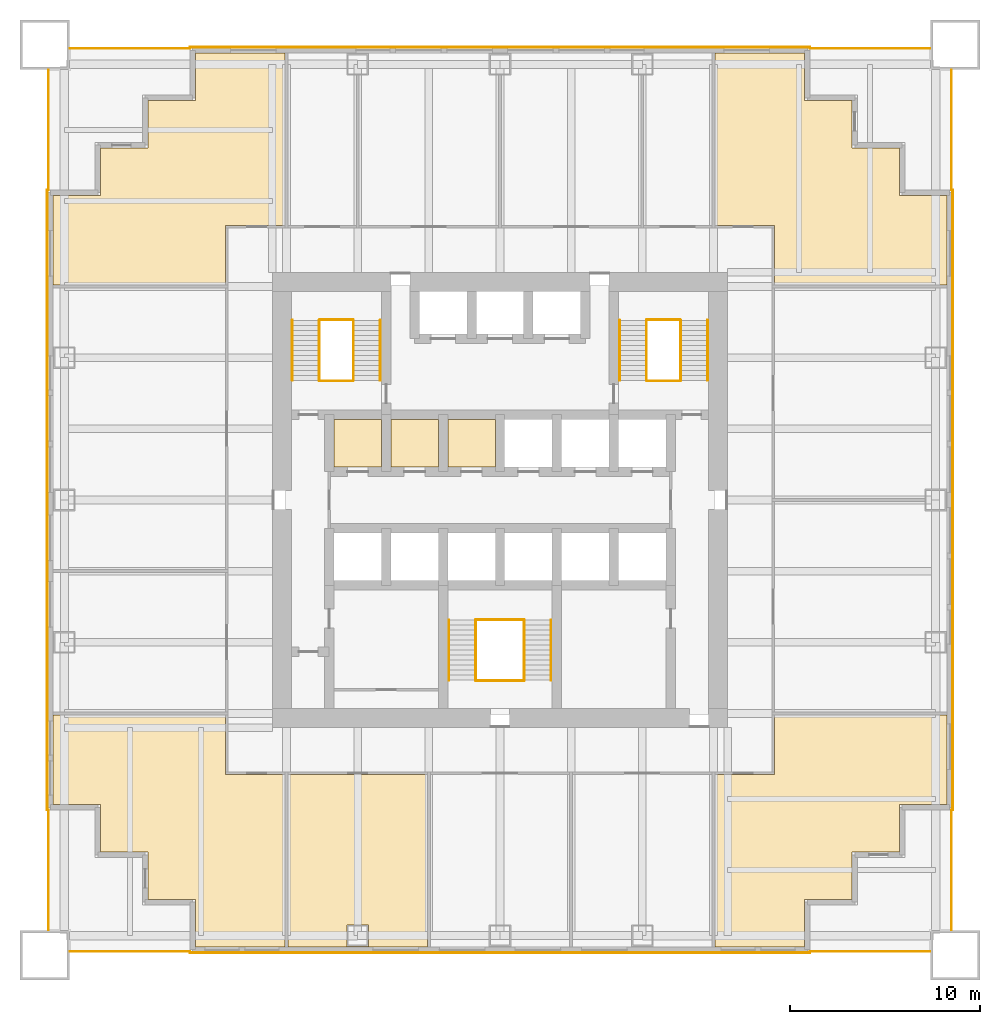
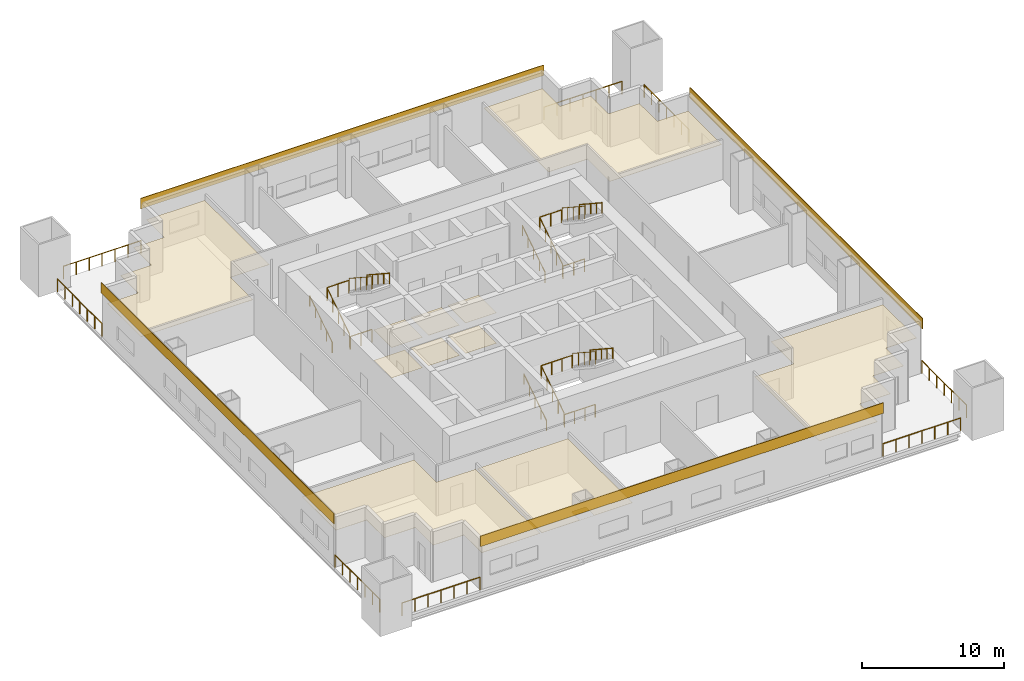
# One storey, part 6 of 6: 26 railings, 15 coverings.
"""IFC4 building model written with IfcOpenShell, lengths in metres."""

import ifcopenshell
import ifcopenshell.guid

model = None  # the IFC model being written
_history = None  # IfcOwnerHistory: only IFC2X3 demands one
_inside = {}  # id of a spatial element -> (the spatial element, [elements in it])
_under = {}  # id of a project, library or spatial element -> (it, [spatial elements below it])
_declared = {}  # id of a project -> (the project, [libraries it declares])
_typed = {}  # id of a type object -> (the type object, [elements of that type])
_made_of = {}  # id of a material, layer set ... -> (it, [elements and type objects made of it])


def new_model(schema):
    """Start an empty IFC model of exactly this schema.

    Asked for "IFC4X3", IfcOpenShell would pick the latest addendum, in which some entities
    have other attributes; the version numbers below select the first issue.
    IFC2X3 requires an IfcOwnerHistory on every rooted entity: one is made here for all.
    """
    global model, _history
    if schema == "IFC4X3":
        model = ifcopenshell.file(schema_version=(4, 3, 0, 0))
    else:
        model = ifcopenshell.file(schema=schema)
    _inside.clear()
    _under.clear()
    _declared.clear()
    _typed.clear()
    _made_of.clear()
    _history = None
    if model.schema == "IFC2X3":
        org = make("IfcOrganization", Name="unknown")
        user = make(
            "IfcPersonAndOrganization",
            ThePerson=make("IfcPerson", FamilyName="unknown"),
            TheOrganization=org,
        )
        app = make(
            "IfcApplication",
            ApplicationDeveloper=org,
            Version="unknown",
            ApplicationFullName="unknown",
            ApplicationIdentifier="unknown",
        )
        _history = make(
            "IfcOwnerHistory",
            OwningUser=user,
            OwningApplication=app,
            ChangeAction="ADDED",
            CreationDate=0,
        )
    return model


def make(cls, **values):
    """One entity of the class cls with the attributes given. An attribute that is None is left unset."""
    return model.create_entity(
        cls, **{name: value for name, value in values.items() if value is not None}
    )


def rooted(cls, **values):
    """An entity with a GlobalId (a new one), such as an element, a storey or a relation."""
    return make(cls, GlobalId=ifcopenshell.guid.new(), OwnerHistory=_history, **values)


def si_unit(unit_type, name, prefix=None):
    """IfcSIUnit, for example si_unit("LENGTHUNIT", "METRE", prefix="MILLI")."""
    return make("IfcSIUnit", UnitType=unit_type, Prefix=prefix, Name=name)


def assignment(units):
    """IfcUnitAssignment: the units of a project."""
    return None if units is None else make("IfcUnitAssignment", Units=units)


def point(xyz):
    """IfcCartesianPoint."""
    return None if xyz is None else make("IfcCartesianPoint", Coordinates=xyz)


def direction(xyz):
    """IfcDirection."""
    return None if xyz is None else make("IfcDirection", DirectionRatios=xyz)


def frame(location, z_axis=None, x_axis=None):
    """IfcAxis2Placement3D, a coordinate frame: its origin and axes. An axis left out is left unset."""
    return make(
        "IfcAxis2Placement3D",
        Location=point(location),
        Axis=direction(z_axis),
        RefDirection=direction(x_axis),
    )


def frame_2d(location, x_axis=None):
    """IfcAxis2Placement2D, a coordinate frame in the plane: its origin and x axis."""
    return make(
        "IfcAxis2Placement2D", Location=point(location), RefDirection=direction(x_axis)
    )


def origin():
    """The frame at (0, 0, 0) with its axes left unset."""
    return frame((0.0, 0.0, 0.0))


def origin_2d():
    """The frame at (0, 0) in the plane with its x axis left unset."""
    return frame_2d((0.0, 0.0))


def place(relative_to, where):
    """IfcLocalPlacement: puts the frame where relative to a parent placement (None: the world)."""
    return make(
        "IfcLocalPlacement", PlacementRelTo=relative_to, RelativePlacement=where
    )


def context(
    kind, dimensions, precision=None, world=None, true_north=None, identifier=None
):
    """IfcGeometricRepresentationContext, for example the 3D "Model" context."""
    return make(
        "IfcGeometricRepresentationContext",
        ContextIdentifier=identifier,
        ContextType=kind,
        CoordinateSpaceDimension=dimensions,
        Precision=precision,
        WorldCoordinateSystem=world,
        TrueNorth=true_north,
    )


def subcontext(parent, identifier, kind, view, scale=None):
    """IfcGeometricRepresentationSubContext, for example "Body" below "Model"."""
    return make(
        "IfcGeometricRepresentationSubContext",
        ContextIdentifier=identifier,
        ContextType=kind,
        ParentContext=parent,
        TargetScale=scale,
        TargetView=view,
    )


def project(units=None, contexts=None):
    """IfcProject with its units and contexts."""
    return rooted(
        "IfcProject",
        Name="project",
        RepresentationContexts=contexts,
        UnitsInContext=assignment(units),
    )


def spatial(cls, under=None, at=None, **own):
    """A site, building, storey or space (cls), placed at a placement, below another one or the project."""
    s = rooted(cls, ObjectPlacement=at, **own)
    if under is not None:
        _under.setdefault(under.id(), (under, []))[1].append(s)
    return s


def polyline(points):
    """IfcPolyline through the points."""
    return make("IfcPolyline", Points=[point(p) for p in points])


def profile(cls, at=None, kind="AREA", **sizes):
    """A parametric profile (cls). Its sizes go by their IFC names, for example OverallWidth=200.0."""
    return make(cls, ProfileType=kind, Position=at, **sizes)


def rectangle(**sizes):
    """IfcRectangleProfileDef."""
    return profile("IfcRectangleProfileDef", **sizes)


def circle(**sizes):
    """IfcCircleProfileDef."""
    return profile("IfcCircleProfileDef", **sizes)


def outline(outer, holes=None, kind="AREA"):
    """IfcArbitraryClosedProfileDef: a profile drawn as a closed curve; with holes, ...WithVoids."""
    if holes is None:
        return make("IfcArbitraryClosedProfileDef", ProfileType=kind, OuterCurve=outer)
    return make(
        "IfcArbitraryProfileDefWithVoids",
        ProfileType=kind,
        OuterCurve=outer,
        InnerCurves=holes,
    )


def extrude(swept, where, along, depth):
    """IfcExtrudedAreaSolid: the profile swept, set in the frame where, extruded along a direction by depth."""
    return make(
        "IfcExtrudedAreaSolid",
        SweptArea=swept,
        Position=where,
        ExtrudedDirection=direction(along),
        Depth=depth,
    )


def shape(context_of_items, identifier, shape_type, items):
    """IfcShapeRepresentation: the items that make up one representation, for example the "Body"."""
    return make(
        "IfcShapeRepresentation",
        ContextOfItems=context_of_items,
        RepresentationIdentifier=identifier,
        RepresentationType=shape_type,
        Items=items,
    )


def material(Name=None, Category=None):
    """IfcMaterial."""
    return make("IfcMaterial", Name=Name, Category=Category)


def layer(
    of_material, thickness, ventilated=None, Name=None, Category=None, Priority=None
):
    """IfcMaterialLayer: one layer of a wall or slab, of a material (None: an air gap)."""
    return make(
        "IfcMaterialLayer",
        Material=of_material,
        LayerThickness=thickness,
        IsVentilated=ventilated,
        Name=Name,
        Category=Category,
        Priority=Priority,
    )


def layer_set(layers, Name=None):
    """IfcMaterialLayerSet."""
    return make("IfcMaterialLayerSet", MaterialLayers=layers, LayerSetName=Name)


def made_of(thing, what):
    """Note that an element or type object is made of a material, layer set ...; save() writes the relation."""
    if what is not None:
        _made_of.setdefault(what.id(), (what, []))[1].append(thing)
    return thing


def type_object(cls, material=None, **own):
    """A type object (cls), such as IfcWallType, which elements share."""
    return made_of(rooted(cls, **own), material)


def element(
    cls,
    number,
    at=None,
    inside=None,
    cuts=None,
    type_object=None,
    material=None,
    context=None,
    identifier="Body",
    shape_type=None,
    held_by="IfcProductDefinitionShape",
    body=None,
    shapes=None,
    **own,
):
    """One element of the class cls, such as IfcWall. Its Tag is "e" and its number.

    at: its placement. inside: the storey or other place that contains it. cuts: it is an
    opening in that element (IfcRelVoidsElement). A single representation is given by context,
    identifier, shape_type and body (its items); several are given by shapes. held_by: the class
    of the entity that holds the representations. save() writes the other relations.
    """
    e = rooted(cls, Tag="e%d" % number, ObjectPlacement=at, **own)
    if body is not None:
        shapes = [shape(context, identifier, shape_type, body)]
    if shapes is not None:
        e.Representation = make(held_by, Representations=shapes)
    if inside is not None:
        _inside.setdefault(inside.id(), (inside, []))[1].append(e)
    if cuts is not None:
        rooted(
            "IfcRelVoidsElement", RelatingBuildingElement=cuts, RelatedOpeningElement=e
        )
    if type_object is not None:
        _typed.setdefault(type_object.id(), (type_object, []))[1].append(e)
    return made_of(e, material)


def aggregate(whole, parts):
    """IfcRelAggregates: a whole, such as a stair, and the parts it consists of."""
    return rooted("IfcRelAggregates", RelatingObject=whole, RelatedObjects=parts)


def save(model, path):
    """Write the relations noted so far, then the file.

    IfcRelAggregates (storeys below a building ...), IfcRelContainedInSpatialStructure (elements
    in a storey), IfcRelDefinesByType, IfcRelAssociatesMaterial and IfcRelDeclares: one each for
    every whole, place, type object, material and project.
    """
    for whole, parts in _under.values():
        aggregate(whole, parts)
    for where, things in _inside.values():
        rooted(
            "IfcRelContainedInSpatialStructure",
            RelatedElements=things,
            RelatingStructure=where,
        )
    for kind, things in _typed.values():
        rooted("IfcRelDefinesByType", RelatedObjects=things, RelatingType=kind)
    for what, things in _made_of.values():
        rooted("IfcRelAssociatesMaterial", RelatedObjects=things, RelatingMaterial=what)
    for by, libraries in _declared.values():
        rooted("IfcRelDeclares", RelatingContext=by, RelatedDefinitions=libraries)
    model.write(path)


model = new_model("IFC4")

# Units and contexts
model_context = context("Model", 3, precision=1e-05, world=origin(), true_north=direction((0.0, 1.0)))
body_context = subcontext(model_context, "Body", "Model", "MODEL_VIEW")
ifc_project = project(units=[si_unit("LENGTHUNIT", "METRE"), si_unit("AREAUNIT", "SQUARE_METRE"), si_unit("VOLUMEUNIT", "CUBIC_METRE"), si_unit("PLANEANGLEUNIT", "RADIAN"), si_unit("MASSUNIT", "GRAM", prefix="KILO")], contexts=[model_context])

# Site, building, storey
site_placement = place(None, origin())
site = spatial("IfcSite", under=ifc_project, at=site_placement, CompositionType="ELEMENT")
building_placement = place(site_placement, origin())
building = spatial("IfcBuilding", under=site, at=building_placement, Name="Tarangal Relay Tower", CompositionType="ELEMENT")
storey_placement = place(building_placement, frame((0.0, 0.0, 113.39990234375)))
storey = spatial("IfcBuildingStorey", under=building, at=storey_placement, Name="L22", CompositionType="ELEMENT", Elevation=113.39990234375)

# Coverings
ifc_material_1 = material(Name="Anti-static vinyl flooring", Category="plastic")
ifc_layer_1 = layer(ifc_material_1, 0.010009765625)
ifc_layer_set_1 = layer_set([ifc_layer_1], Name="Anti-static vinyl floor")
covering_type_1 = type_object("IfcCoveringType", Name="Anti-static vinyl floor", PredefinedType="FLOORING", material=ifc_layer_set_1)
covering_1_placement = place(storey_placement, origin())
element("IfcCovering", 1, at=covering_1_placement, inside=storey, type_object=covering_type_1, Name="Floor finish FL1 L22-D1", PredefinedType="FLOORING", context=body_context, shape_type="SweptSolid", body=[
    extrude(outline(polyline([(-8.75, 1.75), (-6.25, 1.75), (-6.25, 4.25), (-8.75, 4.25), (-8.75, 1.75)])), origin(), (0.0, 0.0, 1.0), 0.010009765625),
])
covering_2_placement = place(storey_placement, origin())
element("IfcCovering", 2, at=covering_2_placement, inside=storey, type_object=covering_type_1, Name="Floor finish FL1 L22-D2", PredefinedType="FLOORING", context=body_context, shape_type="SweptSolid", body=[
    extrude(outline(polyline([(-5.75, 1.75), (-3.25, 1.75), (-3.25, 4.25), (-5.75, 4.25), (-5.75, 1.75)])), origin(), (0.0, 0.0, 1.0), 0.010009765625),
])
covering_3_placement = place(storey_placement, origin())
element("IfcCovering", 3, at=covering_3_placement, inside=storey, type_object=covering_type_1, Name="Floor finish FL1 L22-D3", PredefinedType="FLOORING", context=body_context, shape_type="SweptSolid", body=[
    extrude(outline(polyline([(-2.75, 1.75), (-0.25, 1.75), (-0.25, 4.25), (-2.75, 4.25), (-2.75, 1.75)])), origin(), (0.0, 0.0, 1.0), 0.010009765625),
])
ifc_material_2 = material(Name="Black anodised aluminium cladding", Category="aluminium")
ifc_layer_2 = layer(ifc_material_2, 0.050048828125)
ifc_layer_set_2 = layer_set([ifc_layer_2], Name="Black metal spandrel band")
covering_type_2 = type_object("IfcCoveringType", Name="Black metal spandrel band", PredefinedType="CLADDING", material=ifc_layer_set_2)
for number, where, z_axis, x_axis, name in (
    (4, (0.0, 23.875, 3.750244140625), (0.0, 0.0, 1.0), (1.0, 0.0, 0.0), "Spandrel band SB1 N L22"),
    (5, (23.875, 0.0, 3.750244140625), (0.0, 0.0, 1.0), (0.0, -1.0, 0.0), "Spandrel band SB1 E L22"),
    (6, (0.0, -23.875, 3.750244140625), (0.0, 0.0, 1.0), (-1.0, 0.0, 0.0), "Spandrel band SB1 S L22"),
    (7, (-23.875, 0.0, 3.750244140625), (0.0, 0.0, 1.0), (0.0, 1.0, 0.0), "Spandrel band SB1 W L22"),
):
    element("IfcCovering", number, at=place(storey_placement, frame(where, z_axis=z_axis, x_axis=x_axis)), inside=storey, type_object=covering_type_2, Name=name, PredefinedType="CLADDING", context=body_context, shape_type="SweptSolid", body=[
        extrude(rectangle(XDim=32.699951171875, YDim=0.050048828125, at=origin_2d()), origin(), (0.0, 0.0, 1.0), 0.89990234375),
    ])

# Railings
ifc_material_3 = material(Name="Steel guard, black finish", Category="steel")
railing_type_1 = type_object("IfcRailingType", Name="Stair guard 1100", PredefinedType="GUARDRAIL", material=ifc_material_3)
railing_1_placement = place(storey_placement, frame((-9.530029296875, 6.300048828125, 0.173095703125)))
element("IfcRailing", 8, at=railing_1_placement, inside=storey, type_object=railing_type_1, Name="Stair ST-A guard GR1 L22 flight 1", PredefinedType="GUARDRAIL", context=body_context, shape_type="SweptSolid", body=[
    extrude(circle(Radius=0.02392578125, at=origin_2d()), frame((0.0, 0.0, 1.076171875), z_axis=(0.0, 0.83629911093, 0.548273469226), x_axis=(-1.0, 0.0, 0.0)), (0.0, 0.0, 1.0), 3.7880859375),
    extrude(circle(Radius=0.02099609375, at=origin_2d()), origin(), (0.0, 0.0, 1.0), 1.052001953125),
    extrude(circle(Radius=0.02099609375, at=origin_2d()), frame((0.0, 0.7919921875, 0.519287109375)), (0.0, 0.0, 1.0), 1.052001953125),
    extrude(circle(Radius=0.02099609375, at=origin_2d()), frame((0.0, 1.583984375, 1.03857421875)), (0.0, 0.0, 1.0), 1.052001953125),
    extrude(circle(Radius=0.02099609375, at=origin_2d()), frame((0.0, 2.3759765625, 1.5576171875)), (0.0, 0.0, 1.0), 1.052001953125),
    extrude(circle(Radius=0.02099609375, at=origin_2d()), frame((0.0, 3.16796875, 2.076904296875)), (0.0, 0.0, 1.0), 1.052001953125),
])
railing_2_placement = place(storey_placement, frame((-7.719970703125, 9.468017578125, 2.423095703125)))
element("IfcRailing", 9, at=railing_2_placement, inside=storey, type_object=railing_type_1, Name="Stair ST-A guard GR1 L22 flight 2", PredefinedType="GUARDRAIL", context=body_context, shape_type="SweptSolid", body=[
    extrude(circle(Radius=0.02392578125, at=origin_2d()), frame((0.0, 0.0, 1.076171875), z_axis=(0.0, -0.83629911093, 0.548273469226), x_axis=(1.0, 0.0, 0.0)), (0.0, 0.0, 1.0), 3.7880859375),
    extrude(circle(Radius=0.02099609375, at=origin_2d()), origin(), (0.0, 0.0, 1.0), 1.052001953125),
    extrude(circle(Radius=0.02099609375, at=origin_2d()), frame((0.0, -0.7919921875, 0.519287109375)), (0.0, 0.0, 1.0), 1.052001953125),
    extrude(circle(Radius=0.02099609375, at=origin_2d()), frame((0.0, -1.583984375, 1.03857421875)), (0.0, 0.0, 1.0), 1.052001953125),
    extrude(circle(Radius=0.02099609375, at=origin_2d()), frame((0.0, -2.3759765625, 1.5576171875)), (0.0, 0.0, 1.0), 1.052001953125),
    extrude(circle(Radius=0.02099609375, at=origin_2d()), frame((0.0, -3.16796875, 2.076904296875)), (0.0, 0.0, 1.0), 1.052001953125),
])
for number, where, name in (
    (10, (-9.5, 6.27001953125, 0.0), "Stair ST-A landing guard GR1 L22"),
    (11, (-9.5, 9.498046875, 2.25), "Stair ST-A landing guard GR1 L22"),
):
    element("IfcRailing", number, at=place(storey_placement, frame(where)), inside=storey, type_object=railing_type_1, Name=name, PredefinedType="GUARDRAIL", context=body_context, shape_type="SweptSolid", body=[
        extrude(circle(Radius=0.02392578125, at=origin_2d()), frame((0.0, 0.0, 1.076171875), z_axis=(1.0, 0.0, 0.0), x_axis=(0.0, 1.0, 0.0)), (0.0, 0.0, 1.0), 1.75),
        extrude(circle(Radius=0.02099609375, at=origin_2d()), origin(), (0.0, 0.0, 1.0), 1.052001953125),
        extrude(circle(Radius=0.02099609375, at=origin_2d()), frame((0.875, 0.0, 0.0)), (0.0, 0.0, 1.0), 1.052001953125),
        extrude(circle(Radius=0.02099609375, at=origin_2d()), frame((1.75, 0.0, 0.0)), (0.0, 0.0, 1.0), 1.052001953125),
    ])
railing_3_placement = place(storey_placement, frame((7.719970703125, 6.300048828125, 0.173095703125)))
element("IfcRailing", 12, at=railing_3_placement, inside=storey, type_object=railing_type_1, Name="Stair ST-B guard GR1 L22 flight 1", PredefinedType="GUARDRAIL", context=body_context, shape_type="SweptSolid", body=[
    extrude(circle(Radius=0.02392578125, at=origin_2d()), frame((0.0, 0.0, 1.076171875), z_axis=(0.0, 0.83629911093, 0.548273469226), x_axis=(-1.0, 0.0, 0.0)), (0.0, 0.0, 1.0), 3.7880859375),
    extrude(circle(Radius=0.02099609375, at=origin_2d()), origin(), (0.0, 0.0, 1.0), 1.052001953125),
    extrude(circle(Radius=0.02099609375, at=origin_2d()), frame((0.0, 0.7919921875, 0.519287109375)), (0.0, 0.0, 1.0), 1.052001953125),
    extrude(circle(Radius=0.02099609375, at=origin_2d()), frame((0.0, 1.583984375, 1.03857421875)), (0.0, 0.0, 1.0), 1.052001953125),
    extrude(circle(Radius=0.02099609375, at=origin_2d()), frame((0.0, 2.3759765625, 1.5576171875)), (0.0, 0.0, 1.0), 1.052001953125),
    extrude(circle(Radius=0.02099609375, at=origin_2d()), frame((0.0, 3.16796875, 2.076904296875)), (0.0, 0.0, 1.0), 1.052001953125),
])
railing_4_placement = place(storey_placement, frame((9.530029296875, 9.468017578125, 2.423095703125)))
element("IfcRailing", 13, at=railing_4_placement, inside=storey, type_object=railing_type_1, Name="Stair ST-B guard GR1 L22 flight 2", PredefinedType="GUARDRAIL", context=body_context, shape_type="SweptSolid", body=[
    extrude(circle(Radius=0.02392578125, at=origin_2d()), frame((0.0, 0.0, 1.076171875), z_axis=(0.0, -0.83629911093, 0.548273469226), x_axis=(1.0, 0.0, 0.0)), (0.0, 0.0, 1.0), 3.7880859375),
    extrude(circle(Radius=0.02099609375, at=origin_2d()), origin(), (0.0, 0.0, 1.0), 1.052001953125),
    extrude(circle(Radius=0.02099609375, at=origin_2d()), frame((0.0, -0.7919921875, 0.519287109375)), (0.0, 0.0, 1.0), 1.052001953125),
    extrude(circle(Radius=0.02099609375, at=origin_2d()), frame((0.0, -1.583984375, 1.03857421875)), (0.0, 0.0, 1.0), 1.052001953125),
    extrude(circle(Radius=0.02099609375, at=origin_2d()), frame((0.0, -2.3759765625, 1.5576171875)), (0.0, 0.0, 1.0), 1.052001953125),
    extrude(circle(Radius=0.02099609375, at=origin_2d()), frame((0.0, -3.16796875, 2.076904296875)), (0.0, 0.0, 1.0), 1.052001953125),
])
for number, where, name in (
    (14, (7.75, 6.27001953125, 0.0), "Stair ST-B landing guard GR1 L22"),
    (15, (7.75, 9.498046875, 2.25), "Stair ST-B landing guard GR1 L22"),
):
    element("IfcRailing", number, at=place(storey_placement, frame(where)), inside=storey, type_object=railing_type_1, Name=name, PredefinedType="GUARDRAIL", context=body_context, shape_type="SweptSolid", body=[
        extrude(circle(Radius=0.02392578125, at=origin_2d()), frame((0.0, 0.0, 1.076171875), z_axis=(1.0, 0.0, 0.0), x_axis=(0.0, 1.0, 0.0)), (0.0, 0.0, 1.0), 1.75),
        extrude(circle(Radius=0.02099609375, at=origin_2d()), origin(), (0.0, 0.0, 1.0), 1.052001953125),
        extrude(circle(Radius=0.02099609375, at=origin_2d()), frame((0.875, 0.0, 0.0)), (0.0, 0.0, 1.0), 1.052001953125),
        extrude(circle(Radius=0.02099609375, at=origin_2d()), frame((1.75, 0.0, 0.0)), (0.0, 0.0, 1.0), 1.052001953125),
    ])
railing_5_placement = place(storey_placement, frame((-1.280029296875, -9.5, 0.173095703125)))
element("IfcRailing", 16, at=railing_5_placement, inside=storey, type_object=railing_type_1, Name="Stair ST-C guard GR1 L22 flight 1", PredefinedType="GUARDRAIL", context=body_context, shape_type="SweptSolid", body=[
    extrude(circle(Radius=0.02392578125, at=origin_2d()), frame((0.0, 0.0, 1.076171875), z_axis=(0.0, 0.83629911093, 0.548273469226), x_axis=(-1.0, 0.0, 0.0)), (0.0, 0.0, 1.0), 3.7880859375),
    extrude(circle(Radius=0.02099609375, at=origin_2d()), origin(), (0.0, 0.0, 1.0), 1.052001953125),
    extrude(circle(Radius=0.02099609375, at=origin_2d()), frame((0.0, 0.7919921875, 0.519287109375)), (0.0, 0.0, 1.0), 1.052001953125),
    extrude(circle(Radius=0.02099609375, at=origin_2d()), frame((0.0, 1.583984375, 1.03857421875)), (0.0, 0.0, 1.0), 1.052001953125),
    extrude(circle(Radius=0.02099609375, at=origin_2d()), frame((0.0, 2.3759765625, 1.5576171875)), (0.0, 0.0, 1.0), 1.052001953125),
    extrude(circle(Radius=0.02099609375, at=origin_2d()), frame((0.0, 3.16796875, 2.076904296875)), (0.0, 0.0, 1.0), 1.052001953125),
])
railing_6_placement = place(storey_placement, frame((1.280029296875, -6.33203125, 2.423095703125)))
element("IfcRailing", 17, at=railing_6_placement, inside=storey, type_object=railing_type_1, Name="Stair ST-C guard GR1 L22 flight 2", PredefinedType="GUARDRAIL", context=body_context, shape_type="SweptSolid", body=[
    extrude(circle(Radius=0.02392578125, at=origin_2d()), frame((0.0, 0.0, 1.076171875), z_axis=(0.0, -0.83629911093, 0.548273469226), x_axis=(1.0, 0.0, 0.0)), (0.0, 0.0, 1.0), 3.7880859375),
    extrude(circle(Radius=0.02099609375, at=origin_2d()), origin(), (0.0, 0.0, 1.0), 1.052001953125),
    extrude(circle(Radius=0.02099609375, at=origin_2d()), frame((0.0, -0.7919921875, 0.519287109375)), (0.0, 0.0, 1.0), 1.052001953125),
    extrude(circle(Radius=0.02099609375, at=origin_2d()), frame((0.0, -1.583984375, 1.03857421875)), (0.0, 0.0, 1.0), 1.052001953125),
    extrude(circle(Radius=0.02099609375, at=origin_2d()), frame((0.0, -2.3759765625, 1.5576171875)), (0.0, 0.0, 1.0), 1.052001953125),
    extrude(circle(Radius=0.02099609375, at=origin_2d()), frame((0.0, -3.16796875, 2.076904296875)), (0.0, 0.0, 1.0), 1.052001953125),
])
for number, where, name in (
    (18, (-1.25, -9.530029296875, 0.0), "Stair ST-C landing guard GR1 L22"),
    (19, (-1.25, -6.302001953125, 2.25), "Stair ST-C landing guard GR1 L22"),
):
    element("IfcRailing", number, at=place(storey_placement, frame(where)), inside=storey, type_object=railing_type_1, Name=name, PredefinedType="GUARDRAIL", context=body_context, shape_type="SweptSolid", body=[
        extrude(circle(Radius=0.02392578125, at=origin_2d()), frame((0.0, 0.0, 1.076171875), z_axis=(1.0, 0.0, 0.0), x_axis=(0.0, 1.0, 0.0)), (0.0, 0.0, 1.0), 2.5),
        extrude(circle(Radius=0.02099609375, at=origin_2d()), origin(), (0.0, 0.0, 1.0), 1.052001953125),
        extrude(circle(Radius=0.02099609375, at=origin_2d()), frame((0.833251953125, 0.0, 0.0)), (0.0, 0.0, 1.0), 1.052001953125),
        extrude(circle(Radius=0.02099609375, at=origin_2d()), frame((1.666748046875, 0.0, 0.0)), (0.0, 0.0, 1.0), 1.052001953125),
        extrude(circle(Radius=0.02099609375, at=origin_2d()), frame((2.5, 0.0, 0.0)), (0.0, 0.0, 1.0), 1.052001953125),
    ])
ifc_material_4 = material(Name="Steel handrail, black finish", Category="steel")
railing_type_2 = type_object("IfcRailingType", Name="Stair handrail 900", PredefinedType="HANDRAIL", material=ifc_material_4)
railing_7_placement = place(storey_placement, frame((-10.93994140625, 6.300048828125, 0.173095703125)))
element("IfcRailing", 20, at=railing_7_placement, inside=storey, type_object=railing_type_2, Name="Stair ST-A handrail HR1 L22 flight 1", PredefinedType="HANDRAIL", context=body_context, shape_type="SweptSolid", body=[
    extrude(circle(Radius=0.02392578125, at=origin_2d()), frame((0.0, 0.0, 0.8759765625), z_axis=(0.0, 0.83629911093, 0.548273469226), x_axis=(-1.0, 0.0, 0.0)), (0.0, 0.0, 1.0), 3.7880859375),
    extrude(circle(Radius=0.02099609375, at=origin_2d()), origin(), (0.0, 0.0, 1.0), 0.851806640625),
    extrude(circle(Radius=0.02099609375, at=origin_2d()), frame((0.0, 0.7919921875, 0.519287109375)), (0.0, 0.0, 1.0), 0.851806640625),
    extrude(circle(Radius=0.02099609375, at=origin_2d()), frame((0.0, 1.583984375, 1.03857421875)), (0.0, 0.0, 1.0), 0.851806640625),
    extrude(circle(Radius=0.02099609375, at=origin_2d()), frame((0.0, 2.3759765625, 1.5576171875)), (0.0, 0.0, 1.0), 0.851806640625),
    extrude(circle(Radius=0.02099609375, at=origin_2d()), frame((0.0, 3.16796875, 2.076904296875)), (0.0, 0.0, 1.0), 0.851806640625),
])
railing_8_placement = place(storey_placement, frame((-6.31005859375, 9.468017578125, 2.423095703125)))
element("IfcRailing", 21, at=railing_8_placement, inside=storey, type_object=railing_type_2, Name="Stair ST-A handrail HR1 L22 flight 2", PredefinedType="HANDRAIL", context=body_context, shape_type="SweptSolid", body=[
    extrude(circle(Radius=0.02392578125, at=origin_2d()), frame((0.0, 0.0, 0.8759765625), z_axis=(0.0, -0.83629911093, 0.548273469226), x_axis=(1.0, 0.0, 0.0)), (0.0, 0.0, 1.0), 3.7880859375),
    extrude(circle(Radius=0.02099609375, at=origin_2d()), origin(), (0.0, 0.0, 1.0), 0.851806640625),
    extrude(circle(Radius=0.02099609375, at=origin_2d()), frame((0.0, -0.7919921875, 0.519287109375)), (0.0, 0.0, 1.0), 0.851806640625),
    extrude(circle(Radius=0.02099609375, at=origin_2d()), frame((0.0, -1.583984375, 1.03857421875)), (0.0, 0.0, 1.0), 0.851806640625),
    extrude(circle(Radius=0.02099609375, at=origin_2d()), frame((0.0, -2.3759765625, 1.5576171875)), (0.0, 0.0, 1.0), 0.851806640625),
    extrude(circle(Radius=0.02099609375, at=origin_2d()), frame((0.0, -3.16796875, 2.076904296875)), (0.0, 0.0, 1.0), 0.851806640625),
])
railing_9_placement = place(storey_placement, frame((6.31005859375, 6.300048828125, 0.173095703125)))
element("IfcRailing", 22, at=railing_9_placement, inside=storey, type_object=railing_type_2, Name="Stair ST-B handrail HR1 L22 flight 1", PredefinedType="HANDRAIL", context=body_context, shape_type="SweptSolid", body=[
    extrude(circle(Radius=0.02392578125, at=origin_2d()), frame((0.0, 0.0, 0.8759765625), z_axis=(0.0, 0.83629911093, 0.548273469226), x_axis=(-1.0, 0.0, 0.0)), (0.0, 0.0, 1.0), 3.7880859375),
    extrude(circle(Radius=0.02099609375, at=origin_2d()), origin(), (0.0, 0.0, 1.0), 0.851806640625),
    extrude(circle(Radius=0.02099609375, at=origin_2d()), frame((0.0, 0.7919921875, 0.519287109375)), (0.0, 0.0, 1.0), 0.851806640625),
    extrude(circle(Radius=0.02099609375, at=origin_2d()), frame((0.0, 1.583984375, 1.03857421875)), (0.0, 0.0, 1.0), 0.851806640625),
    extrude(circle(Radius=0.02099609375, at=origin_2d()), frame((0.0, 2.3759765625, 1.5576171875)), (0.0, 0.0, 1.0), 0.851806640625),
    extrude(circle(Radius=0.02099609375, at=origin_2d()), frame((0.0, 3.16796875, 2.076904296875)), (0.0, 0.0, 1.0), 0.851806640625),
])
railing_10_placement = place(storey_placement, frame((10.93994140625, 9.468017578125, 2.423095703125)))
element("IfcRailing", 23, at=railing_10_placement, inside=storey, type_object=railing_type_2, Name="Stair ST-B handrail HR1 L22 flight 2", PredefinedType="HANDRAIL", context=body_context, shape_type="SweptSolid", body=[
    extrude(circle(Radius=0.02392578125, at=origin_2d()), frame((0.0, 0.0, 0.8759765625), z_axis=(0.0, -0.83629911093, 0.548273469226), x_axis=(1.0, 0.0, 0.0)), (0.0, 0.0, 1.0), 3.7880859375),
    extrude(circle(Radius=0.02099609375, at=origin_2d()), origin(), (0.0, 0.0, 1.0), 0.851806640625),
    extrude(circle(Radius=0.02099609375, at=origin_2d()), frame((0.0, -0.7919921875, 0.519287109375)), (0.0, 0.0, 1.0), 0.851806640625),
    extrude(circle(Radius=0.02099609375, at=origin_2d()), frame((0.0, -1.583984375, 1.03857421875)), (0.0, 0.0, 1.0), 0.851806640625),
    extrude(circle(Radius=0.02099609375, at=origin_2d()), frame((0.0, -2.3759765625, 1.5576171875)), (0.0, 0.0, 1.0), 0.851806640625),
    extrude(circle(Radius=0.02099609375, at=origin_2d()), frame((0.0, -3.16796875, 2.076904296875)), (0.0, 0.0, 1.0), 0.851806640625),
])
railing_11_placement = place(storey_placement, frame((-2.68994140625, -9.5, 0.173095703125)))
element("IfcRailing", 24, at=railing_11_placement, inside=storey, type_object=railing_type_2, Name="Stair ST-C handrail HR1 L22 flight 1", PredefinedType="HANDRAIL", context=body_context, shape_type="SweptSolid", body=[
    extrude(circle(Radius=0.02392578125, at=origin_2d()), frame((0.0, 0.0, 0.8759765625), z_axis=(0.0, 0.83629911093, 0.548273469226), x_axis=(-1.0, 0.0, 0.0)), (0.0, 0.0, 1.0), 3.7880859375),
    extrude(circle(Radius=0.02099609375, at=origin_2d()), origin(), (0.0, 0.0, 1.0), 0.851806640625),
    extrude(circle(Radius=0.02099609375, at=origin_2d()), frame((0.0, 0.7919921875, 0.519287109375)), (0.0, 0.0, 1.0), 0.851806640625),
    extrude(circle(Radius=0.02099609375, at=origin_2d()), frame((0.0, 1.583984375, 1.03857421875)), (0.0, 0.0, 1.0), 0.851806640625),
    extrude(circle(Radius=0.02099609375, at=origin_2d()), frame((0.0, 2.3759765625, 1.5576171875)), (0.0, 0.0, 1.0), 0.851806640625),
    extrude(circle(Radius=0.02099609375, at=origin_2d()), frame((0.0, 3.16796875, 2.076904296875)), (0.0, 0.0, 1.0), 0.851806640625),
])
railing_12_placement = place(storey_placement, frame((2.68994140625, -6.33203125, 2.423095703125)))
element("IfcRailing", 25, at=railing_12_placement, inside=storey, type_object=railing_type_2, Name="Stair ST-C handrail HR1 L22 flight 2", PredefinedType="HANDRAIL", context=body_context, shape_type="SweptSolid", body=[
    extrude(circle(Radius=0.02392578125, at=origin_2d()), frame((0.0, 0.0, 0.8759765625), z_axis=(0.0, -0.83629911093, 0.548273469226), x_axis=(1.0, 0.0, 0.0)), (0.0, 0.0, 1.0), 3.7880859375),
    extrude(circle(Radius=0.02099609375, at=origin_2d()), origin(), (0.0, 0.0, 1.0), 0.851806640625),
    extrude(circle(Radius=0.02099609375, at=origin_2d()), frame((0.0, -0.7919921875, 0.519287109375)), (0.0, 0.0, 1.0), 0.851806640625),
    extrude(circle(Radius=0.02099609375, at=origin_2d()), frame((0.0, -1.583984375, 1.03857421875)), (0.0, 0.0, 1.0), 0.851806640625),
    extrude(circle(Radius=0.02099609375, at=origin_2d()), frame((0.0, -2.3759765625, 1.5576171875)), (0.0, 0.0, 1.0), 0.851806640625),
    extrude(circle(Radius=0.02099609375, at=origin_2d()), frame((0.0, -3.16796875, 2.076904296875)), (0.0, 0.0, 1.0), 0.851806640625),
])

# Coverings
ifc_material_5 = material(Name="Mineral fibre ceiling tiles", Category="gypsum")
ifc_layer_3 = layer(ifc_material_5, 0.02001953125)
ifc_layer_set_3 = layer_set([ifc_layer_3], Name="Suspended ceiling")
covering_type_3 = type_object("IfcCoveringType", Name="Suspended ceiling", PredefinedType="CEILING", material=ifc_layer_set_3)
covering_4_placement = place(storey_placement, frame((0.0, 0.0, 2.60009765625)))
element("IfcCovering", 26, at=covering_4_placement, inside=storey, type_object=covering_type_3, Name="Suspended ceiling CL1 L22-D1", PredefinedType="CEILING", context=body_context, shape_type="SweptSolid", body=[
    extrude(outline(polyline([(-8.75, 1.75), (-6.25, 1.75), (-6.25, 4.25), (-8.75, 4.25), (-8.75, 1.75)])), origin(), (0.0, 0.0, 1.0), 0.02001953125),
])
covering_5_placement = place(storey_placement, frame((0.0, 0.0, 2.60009765625)))
element("IfcCovering", 27, at=covering_5_placement, inside=storey, type_object=covering_type_3, Name="Suspended ceiling CL1 L22-D2", PredefinedType="CEILING", context=body_context, shape_type="SweptSolid", body=[
    extrude(outline(polyline([(-5.75, 1.75), (-3.25, 1.75), (-3.25, 4.25), (-5.75, 4.25), (-5.75, 1.75)])), origin(), (0.0, 0.0, 1.0), 0.02001953125),
])
covering_6_placement = place(storey_placement, frame((0.0, 0.0, 2.60009765625)))
element("IfcCovering", 28, at=covering_6_placement, inside=storey, type_object=covering_type_3, Name="Suspended ceiling CL1 L22-D3", PredefinedType="CEILING", context=body_context, shape_type="SweptSolid", body=[
    extrude(outline(polyline([(-2.75, 1.75), (-0.25, 1.75), (-0.25, 4.25), (-2.75, 4.25), (-2.75, 1.75)])), origin(), (0.0, 0.0, 1.0), 0.02001953125),
])
covering_7_placement = place(storey_placement, frame((0.0, 0.0, 2.900146484375)))
element("IfcCovering", 29, at=covering_7_placement, inside=storey, type_object=covering_type_3, Name="Suspended ceiling CL1 L22-10", PredefinedType="CEILING", context=body_context, shape_type="SweptSolid", body=[
    extrude(outline(polyline([(-11.175048828125, -23.550048828125), (-3.824951171875, -23.550048828125), (-3.824951171875, -14.47509765625), (-11.175048828125, -14.47509765625), (-11.175048828125, -23.550048828125)]), holes=[polyline([(-6.925048828125, -22.389892578125), (-8.074951171875, -22.389892578125), (-8.074951171875, -23.5400390625), (-6.925048828125, -23.5400390625), (-6.925048828125, -22.389892578125)])]), origin(), (0.0, 0.0, 1.0), 0.02001953125),
])
covering_8_placement = place(storey_placement, frame((0.0, 0.0, 2.900146484375)))
element("IfcCovering", 30, at=covering_8_placement, inside=storey, type_object=covering_type_3, Name="Suspended ceiling CL1 L22-13", PredefinedType="CEILING", context=body_context, shape_type="SweptSolid", body=[
    extrude(outline(polyline([(16.050048828125, 23.550048828125), (11.324951171875, 23.550048828125), (11.324951171875, 14.47509765625), (14.47509765625, 14.47509765625), (14.47509765625, 11.324951171875), (23.550048828125, 11.324951171875), (23.550048828125, 16.050048828125), (21.050048828125, 16.050048828125), (21.050048828125, 18.550048828125), (18.550048828125, 18.550048828125), (18.550048828125, 21.050048828125), (16.050048828125, 21.050048828125), (16.050048828125, 23.550048828125)])), origin(), (0.0, 0.0, 1.0), 0.02001953125),
])
covering_9_placement = place(storey_placement, frame((0.0, 0.0, 2.900146484375)))
element("IfcCovering", 31, at=covering_9_placement, inside=storey, type_object=covering_type_3, Name="Suspended ceiling CL1 L22-14", PredefinedType="CEILING", context=body_context, shape_type="SweptSolid", body=[
    extrude(outline(polyline([(23.550048828125, -16.050048828125), (23.550048828125, -11.324951171875), (14.47509765625, -11.324951171875), (14.47509765625, -14.47509765625), (11.324951171875, -14.47509765625), (11.324951171875, -23.550048828125), (16.050048828125, -23.550048828125), (16.050048828125, -21.050048828125), (18.550048828125, -21.050048828125), (18.550048828125, -18.550048828125), (21.050048828125, -18.550048828125), (21.050048828125, -16.050048828125), (23.550048828125, -16.050048828125)])), origin(), (0.0, 0.0, 1.0), 0.02001953125),
])
covering_10_placement = place(storey_placement, frame((0.0, 0.0, 2.900146484375)))
element("IfcCovering", 32, at=covering_10_placement, inside=storey, type_object=covering_type_3, Name="Suspended ceiling CL1 L22-15", PredefinedType="CEILING", context=body_context, shape_type="SweptSolid", body=[
    extrude(outline(polyline([(-16.050048828125, -21.050048828125), (-16.050048828125, -23.550048828125), (-11.324951171875, -23.550048828125), (-11.324951171875, -14.47509765625), (-14.47509765625, -14.47509765625), (-14.47509765625, -11.324951171875), (-23.550048828125, -11.324951171875), (-23.550048828125, -16.050048828125), (-21.050048828125, -16.050048828125), (-21.050048828125, -18.550048828125), (-18.550048828125, -18.550048828125), (-18.550048828125, -21.050048828125), (-16.050048828125, -21.050048828125)])), origin(), (0.0, 0.0, 1.0), 0.02001953125),
])
covering_11_placement = place(storey_placement, frame((0.0, 0.0, 2.900146484375)))
element("IfcCovering", 33, at=covering_11_placement, inside=storey, type_object=covering_type_3, Name="Suspended ceiling CL1 L22-16", PredefinedType="CEILING", context=body_context, shape_type="SweptSolid", body=[
    extrude(outline(polyline([(-21.050048828125, 16.050048828125), (-23.550048828125, 16.050048828125), (-23.550048828125, 11.324951171875), (-14.47509765625, 11.324951171875), (-14.47509765625, 14.47509765625), (-11.324951171875, 14.47509765625), (-11.324951171875, 23.550048828125), (-16.050048828125, 23.550048828125), (-16.050048828125, 21.050048828125), (-18.550048828125, 21.050048828125), (-18.550048828125, 18.550048828125), (-21.050048828125, 18.550048828125), (-21.050048828125, 16.050048828125)])), origin(), (0.0, 0.0, 1.0), 0.02001953125),
])

# Railings
ifc_material_6 = material(Name="Black steel guard with glass infill", Category="steel")
railing_type_3 = type_object("IfcRailingType", Name="Terrace guard 1100", PredefinedType="GUARDRAIL", material=ifc_material_6)
railing_13_placement = place(storey_placement, frame((16.35009765625, 23.800048828125, 0.0)))
element("IfcRailing", 34, at=railing_13_placement, inside=storey, type_object=railing_type_3, Name="Terrace guard GR2 NE L22", PredefinedType="GUARDRAIL", context=body_context, shape_type="SweptSolid", body=[
    extrude(circle(Radius=0.02392578125, at=origin_2d()), frame((0.0, 0.0, 1.076171875), z_axis=(1.0, 0.0, 0.0), x_axis=(0.0, 1.0, 0.0)), (0.0, 0.0, 1.0), 6.2998046875),
    extrude(circle(Radius=0.02099609375, at=origin_2d()), origin(), (0.0, 0.0, 1.0), 1.052001953125),
    extrude(circle(Radius=0.02099609375, at=origin_2d()), frame((1.050048828125, 0.0, 0.0)), (0.0, 0.0, 1.0), 1.052001953125),
    extrude(circle(Radius=0.02099609375, at=origin_2d()), frame((2.099853515625, 0.0, 0.0)), (0.0, 0.0, 1.0), 1.052001953125),
    extrude(circle(Radius=0.02099609375, at=origin_2d()), frame((3.14990234375, 0.0, 0.0)), (0.0, 0.0, 1.0), 1.052001953125),
    extrude(circle(Radius=0.02099609375, at=origin_2d()), frame((4.199951171875, 0.0, 0.0)), (0.0, 0.0, 1.0), 1.052001953125),
    extrude(circle(Radius=0.02099609375, at=origin_2d()), frame((5.249755859375, 0.0, 0.0)), (0.0, 0.0, 1.0), 1.052001953125),
    extrude(circle(Radius=0.02099609375, at=origin_2d()), frame((6.2998046875, 0.0, 0.0)), (0.0, 0.0, 1.0), 1.052001953125),
])
for number, where, name in (
    (35, (23.800048828125, 22.64990234375, 0.0), "Terrace guard GR2 NE L22"),
    (36, (23.800048828125, -16.35009765625, 0.0), "Terrace guard GR2 SE L22"),
):
    element("IfcRailing", number, at=place(storey_placement, frame(where)), inside=storey, type_object=railing_type_3, Name=name, PredefinedType="GUARDRAIL", context=body_context, shape_type="SweptSolid", body=[
        extrude(circle(Radius=0.02392578125, at=origin_2d()), frame((0.0, 0.0, 1.076171875), z_axis=(0.0, -1.0, 0.0), x_axis=(1.0, 0.0, 0.0)), (0.0, 0.0, 1.0), 6.2998046875),
        extrude(circle(Radius=0.02099609375, at=origin_2d()), origin(), (0.0, 0.0, 1.0), 1.052001953125),
        extrude(circle(Radius=0.02099609375, at=origin_2d()), frame((0.0, -1.050048828125, 0.0)), (0.0, 0.0, 1.0), 1.052001953125),
        extrude(circle(Radius=0.02099609375, at=origin_2d()), frame((0.0, -2.099853515625, 0.0)), (0.0, 0.0, 1.0), 1.052001953125),
        extrude(circle(Radius=0.02099609375, at=origin_2d()), frame((0.0, -3.14990234375, 0.0)), (0.0, 0.0, 1.0), 1.052001953125),
        extrude(circle(Radius=0.02099609375, at=origin_2d()), frame((0.0, -4.199951171875, 0.0)), (0.0, 0.0, 1.0), 1.052001953125),
        extrude(circle(Radius=0.02099609375, at=origin_2d()), frame((0.0, -5.249755859375, 0.0)), (0.0, 0.0, 1.0), 1.052001953125),
        extrude(circle(Radius=0.02099609375, at=origin_2d()), frame((0.0, -6.2998046875, 0.0)), (0.0, 0.0, 1.0), 1.052001953125),
    ])
for number, where, name in (
    (37, (22.64990234375, -23.800048828125, 0.0), "Terrace guard GR2 SE L22"),
    (38, (-16.35009765625, -23.800048828125, 0.0), "Terrace guard GR2 SW L22"),
):
    element("IfcRailing", number, at=place(storey_placement, frame(where)), inside=storey, type_object=railing_type_3, Name=name, PredefinedType="GUARDRAIL", context=body_context, shape_type="SweptSolid", body=[
        extrude(circle(Radius=0.02392578125, at=origin_2d()), frame((0.0, 0.0, 1.076171875), z_axis=(-1.0, 0.0, 0.0), x_axis=(0.0, -1.0, 0.0)), (0.0, 0.0, 1.0), 6.2998046875),
        extrude(circle(Radius=0.02099609375, at=origin_2d()), origin(), (0.0, 0.0, 1.0), 1.052001953125),
        extrude(circle(Radius=0.02099609375, at=origin_2d()), frame((-1.050048828125, 0.0, 0.0)), (0.0, 0.0, 1.0), 1.052001953125),
        extrude(circle(Radius=0.02099609375, at=origin_2d()), frame((-2.099853515625, 0.0, 0.0)), (0.0, 0.0, 1.0), 1.052001953125),
        extrude(circle(Radius=0.02099609375, at=origin_2d()), frame((-3.14990234375, 0.0, 0.0)), (0.0, 0.0, 1.0), 1.052001953125),
        extrude(circle(Radius=0.02099609375, at=origin_2d()), frame((-4.199951171875, 0.0, 0.0)), (0.0, 0.0, 1.0), 1.052001953125),
        extrude(circle(Radius=0.02099609375, at=origin_2d()), frame((-5.249755859375, 0.0, 0.0)), (0.0, 0.0, 1.0), 1.052001953125),
        extrude(circle(Radius=0.02099609375, at=origin_2d()), frame((-6.2998046875, 0.0, 0.0)), (0.0, 0.0, 1.0), 1.052001953125),
    ])
for number, where, name in (
    (39, (-23.800048828125, -22.64990234375, 0.0), "Terrace guard GR2 SW L22"),
    (40, (-23.800048828125, 16.35009765625, 0.0), "Terrace guard GR2 NW L22"),
):
    element("IfcRailing", number, at=place(storey_placement, frame(where)), inside=storey, type_object=railing_type_3, Name=name, PredefinedType="GUARDRAIL", context=body_context, shape_type="SweptSolid", body=[
        extrude(circle(Radius=0.02392578125, at=origin_2d()), frame((0.0, 0.0, 1.076171875), z_axis=(0.0, 1.0, 0.0), x_axis=(-1.0, 0.0, 0.0)), (0.0, 0.0, 1.0), 6.2998046875),
        extrude(circle(Radius=0.02099609375, at=origin_2d()), origin(), (0.0, 0.0, 1.0), 1.052001953125),
        extrude(circle(Radius=0.02099609375, at=origin_2d()), frame((0.0, 1.050048828125, 0.0)), (0.0, 0.0, 1.0), 1.052001953125),
        extrude(circle(Radius=0.02099609375, at=origin_2d()), frame((0.0, 2.099853515625, 0.0)), (0.0, 0.0, 1.0), 1.052001953125),
        extrude(circle(Radius=0.02099609375, at=origin_2d()), frame((0.0, 3.14990234375, 0.0)), (0.0, 0.0, 1.0), 1.052001953125),
        extrude(circle(Radius=0.02099609375, at=origin_2d()), frame((0.0, 4.199951171875, 0.0)), (0.0, 0.0, 1.0), 1.052001953125),
        extrude(circle(Radius=0.02099609375, at=origin_2d()), frame((0.0, 5.249755859375, 0.0)), (0.0, 0.0, 1.0), 1.052001953125),
        extrude(circle(Radius=0.02099609375, at=origin_2d()), frame((0.0, 6.2998046875, 0.0)), (0.0, 0.0, 1.0), 1.052001953125),
    ])
railing_14_placement = place(storey_placement, frame((-22.64990234375, 23.800048828125, 0.0)))
element("IfcRailing", 41, at=railing_14_placement, inside=storey, type_object=railing_type_3, Name="Terrace guard GR2 NW L22", PredefinedType="GUARDRAIL", context=body_context, shape_type="SweptSolid", body=[
    extrude(circle(Radius=0.02392578125, at=origin_2d()), frame((0.0, 0.0, 1.076171875), z_axis=(1.0, 0.0, 0.0), x_axis=(0.0, 1.0, 0.0)), (0.0, 0.0, 1.0), 6.2998046875),
    extrude(circle(Radius=0.02099609375, at=origin_2d()), origin(), (0.0, 0.0, 1.0), 1.052001953125),
    extrude(circle(Radius=0.02099609375, at=origin_2d()), frame((1.050048828125, 0.0, 0.0)), (0.0, 0.0, 1.0), 1.052001953125),
    extrude(circle(Radius=0.02099609375, at=origin_2d()), frame((2.099853515625, 0.0, 0.0)), (0.0, 0.0, 1.0), 1.052001953125),
    extrude(circle(Radius=0.02099609375, at=origin_2d()), frame((3.14990234375, 0.0, 0.0)), (0.0, 0.0, 1.0), 1.052001953125),
    extrude(circle(Radius=0.02099609375, at=origin_2d()), frame((4.199951171875, 0.0, 0.0)), (0.0, 0.0, 1.0), 1.052001953125),
    extrude(circle(Radius=0.02099609375, at=origin_2d()), frame((5.249755859375, 0.0, 0.0)), (0.0, 0.0, 1.0), 1.052001953125),
    extrude(circle(Radius=0.02099609375, at=origin_2d()), frame((6.2998046875, 0.0, 0.0)), (0.0, 0.0, 1.0), 1.052001953125),
])

save(model, "model.ifc")
